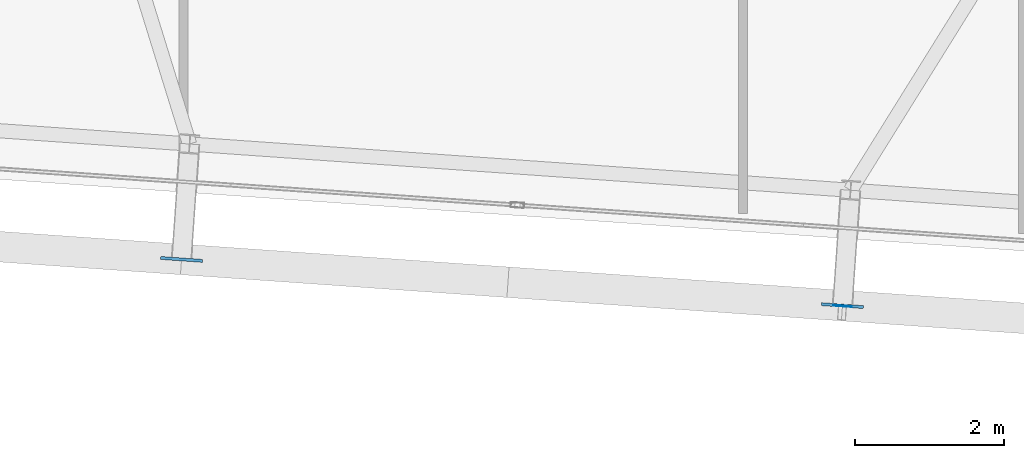
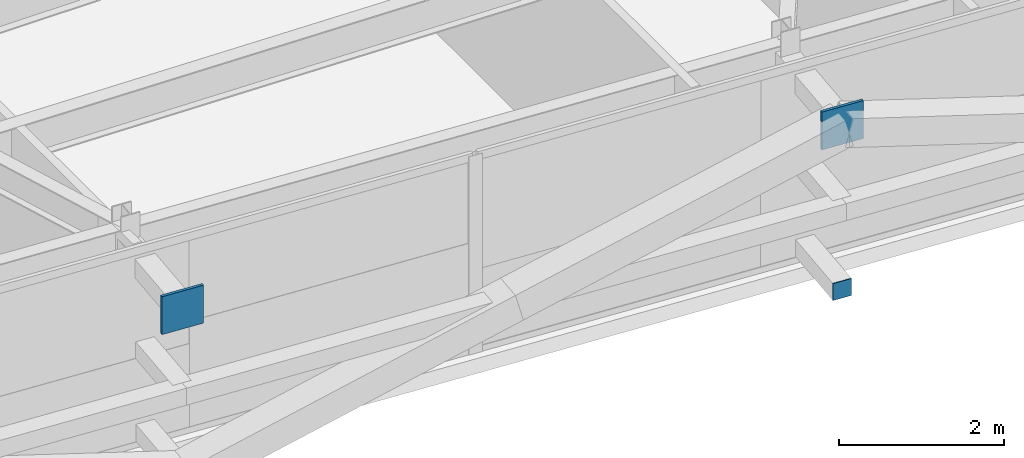
# One storey, part 28 of 39: 3 plates.
"""IFC4 building model written with IfcOpenShell, lengths in metres."""

from ifc_helpers import new_model, si_unit, direction, frame, origin, origin_2d, place, context, subcontext, project, spatial, rectangle, extrude, source, transform, mapped, material, layer, layer_set, type_object, element, save


model = new_model("IFC4")

# Units and contexts
model_context = context("Model", 3, precision=1e-05, world=origin(), true_north=direction((0.0, 1.0)))
body_context = subcontext(model_context, "Body", "Model", "MODEL_VIEW")
ifc_project = project(units=[si_unit("LENGTHUNIT", "METRE"), si_unit("AREAUNIT", "SQUARE_METRE"), si_unit("VOLUMEUNIT", "CUBIC_METRE"), si_unit("PLANEANGLEUNIT", "RADIAN"), si_unit("MASSUNIT", "GRAM", prefix="KILO")], contexts=[model_context])

# Site, building, storey
site_placement = place(None, origin())
site = spatial("IfcSite", under=ifc_project, at=site_placement, CompositionType="ELEMENT")
building_placement = place(site_placement, origin())
building = spatial("IfcBuilding", under=site, at=building_placement, Name="Taldren Reach Tower", CompositionType="ELEMENT")
storey_placement = place(building_placement, frame((0.0, 0.0, 133.0)))
storey = spatial("IfcBuildingStorey", under=building, at=storey_placement, Name="L40", CompositionType="ELEMENT", Elevation=133.0)

# Plates
ifc_material_1 = material(Name="Steel Gr 450 (C450L0)", Category="steel")
ifc_layer_1 = layer(ifc_material_1, 0.0400390625)
ifc_layer_set_1 = layer_set([ifc_layer_1], Name="Steel Gr 450 (C450L0)")
plate_type_1 = type_object("IfcPlateType", Name="PL-GUSSET-40", PredefinedType="SHEET", material=ifc_layer_set_1)
shared_shape_1 = source(origin(), body_context, "Body", "SweptSolid", [
    extrude(rectangle(XDim=0.56005859375, YDim=0.0400390625, at=origin_2d()), origin(), (0.0, 0.0, 1.0), 0.56005859375),
])
for number, where, z_axis, x_axis, name in (
    (1, (29.47216796875, 2.55322265625, 2.369873046875), (0.0, 0.0, 1.0), (0.99756405026, -0.069756473744, 0.0), "Exoskeleton star-node gusset plate B3-S3 L40"),
    (2, (38.33056640625, 1.933837890625, 2.369873046875), (0.0, 0.0, 1.0), (0.99756405026, -0.069756473744, 0.0), "Exoskeleton star-node gusset plate B3-S4 L40"),
):
    element("IfcPlate", number, at=place(storey_placement, frame(where, z_axis=z_axis, x_axis=x_axis)), inside=storey, type_object=plate_type_1, Name=name, PredefinedType="SHEET", context=body_context, shape_type="MappedRepresentation", body=[
        mapped(shared_shape_1, transform((0.0, 0.0, 0.0), scale=1.0)),
    ])
ifc_material_2 = material(Name="Steel Gr 350 (C350L0)", Category="steel")
ifc_layer_2 = layer(ifc_material_2, 0.011962890625)
ifc_layer_set_2 = layer_set([ifc_layer_2], Name="Steel Gr 350 (C350L0)")
plate_type_2 = type_object("IfcPlateType", Name="PL-CAP-250", PredefinedType="SHEET", material=ifc_layer_set_2)
shared_shape_2 = source(origin(), body_context, "Body", "SweptSolid", [
    extrude(rectangle(XDim=0.25, YDim=0.011962890625, at=origin_2d()), origin(), (0.0, 0.0, 1.0), 0.25),
])
plate_placement = place(storey_placement, frame((38.330078125, 1.927978515625, 0.094970703125), z_axis=(0.0, 0.0, 1.0), x_axis=(0.99756405026, -0.069756473744, 0.0)))
element("IfcPlate", 3, at=plate_placement, inside=storey, type_object=plate_type_2, Name="Tie strut end cap plate B3-S4 L40", PredefinedType="SHEET", context=body_context, shape_type="MappedRepresentation", body=[
    mapped(shared_shape_2, transform((0.0, 0.0, 0.0), scale=1.0)),
])

save(model, "model.ifc")
